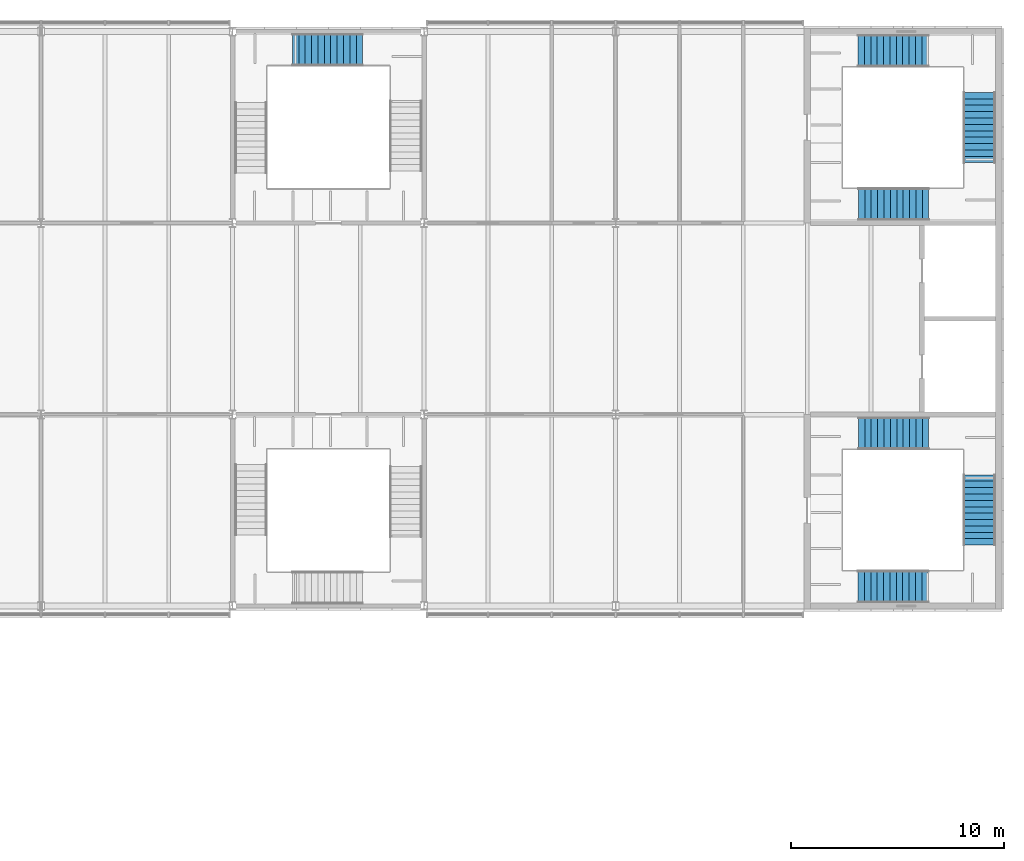
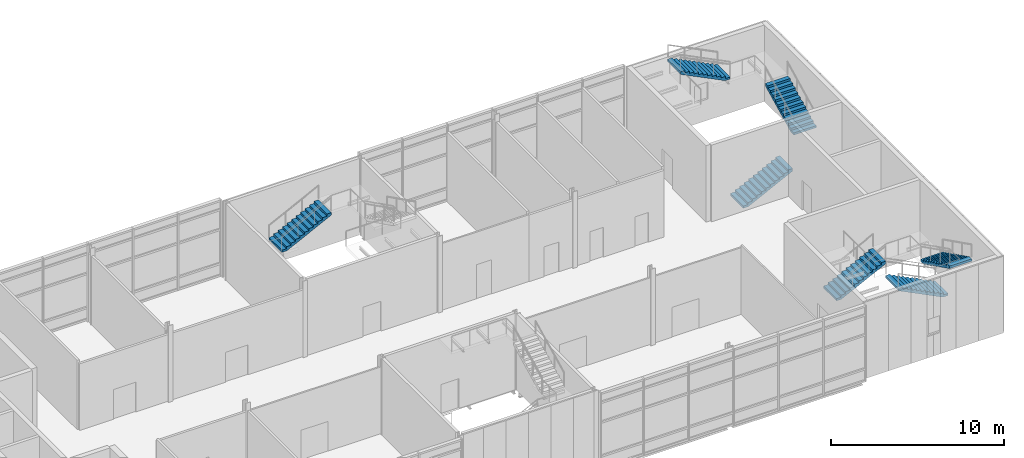
# One storey, part 46 of 56: 7 stair flights, 3 elements without a shape of their own.
"""IFC4 building model written with IfcOpenShell, lengths in metres."""

from ifc_helpers import new_model, si_unit, direction, frame, origin, place, context, subcontext, project, spatial, polyline, outline, extrude, material, type_object, element, aggregate, save


model = new_model("IFC4")

# Units and contexts
model_context = context("Model", 3, precision=1e-05, world=origin(), true_north=direction((0.0, 1.0)))
body_context = subcontext(model_context, "Body", "Model", "MODEL_VIEW")
ifc_project = project(units=[si_unit("LENGTHUNIT", "METRE"), si_unit("AREAUNIT", "SQUARE_METRE"), si_unit("VOLUMEUNIT", "CUBIC_METRE"), si_unit("PLANEANGLEUNIT", "RADIAN"), si_unit("MASSUNIT", "GRAM", prefix="KILO")], contexts=[model_context])

# Site, building, storey
site_placement = place(None, origin())
site = spatial("IfcSite", under=ifc_project, at=site_placement, CompositionType="ELEMENT")
building_placement = place(site_placement, origin())
building = spatial("IfcBuilding", under=site, at=building_placement, Name="Azimuth Sports and Learning Centre", CompositionType="ELEMENT")
storey_placement = place(building_placement, frame((0.0, 0.0, 5.39990234375)))
storey = spatial("IfcBuildingStorey", under=building, at=storey_placement, Name="L01", CompositionType="ELEMENT", Elevation=5.39990234375)

# Stair, stair flights
ifc_material_1 = material(Name="Concrete C32/40", Category="concrete")
stair_type_1 = type_object("IfcStairType", Name="Square-well stair end core 5400 storey", PredefinedType="THREE_QUARTER_TURN_STAIR", material=ifc_material_1)
stair_1_placement = place(storey_placement, origin())
stair_1 = element("IfcStair", 1, at=stair_1_placement, inside=storey, type_object=stair_type_1, Name="Stair EW1 L01-L02", PredefinedType="THREE_QUARTER_TURN_STAIR")
ifc_material_2 = material(Name="Concrete C32/40", Category="concrete")
stair_flight_type = type_object("IfcStairFlightType", Name="Stair flight 12 risers", PredefinedType="STRAIGHT", material=ifc_material_2)
stair_flight_1_placement = place(storey_placement, frame((164.409912109375, 98.114990234375, 0.0), z_axis=(0.0, 0.0, 1.0), x_axis=(1.0, 0.0, 0.0)))
stair_flight_1 = element("IfcStairFlight", 2, at=stair_flight_1_placement, type_object=stair_flight_type, Name="Stair EW1 L01 flight 1", NumberOfRisers=12, NumberOfTreads=11, PredefinedType="STRAIGHT", RiserHeight=0.15, TreadLength=0.3, context=body_context, shape_type="SweptSolid", body=[
    extrude(outline(polyline([(0.0, 0.0), (0.0, 0.14990234375), (0.300048828125, 0.14990234375), (0.300048828125, 0.300048828125), (0.60009765625, 0.300048828125), (0.60009765625, 0.449951171875), (0.89990234375, 0.449951171875), (0.89990234375, 0.60009765625), (1.199951171875, 0.60009765625), (1.199951171875, 0.75), (1.5, 0.75), (1.5, 0.89990234375), (1.800048828125, 0.89990234375), (1.800048828125, 1.050048828125), (2.10009765625, 1.050048828125), (2.10009765625, 1.199951171875), (2.39990234375, 1.199951171875), (2.39990234375, 1.35009765625), (2.699951171875, 1.35009765625), (2.699951171875, 1.5), (3.0, 1.5), (3.0, 1.64990234375), (3.300048828125, 1.64990234375), (3.300048828125, 1.800048828125), (3.300048828125, 1.482421875), (0.335205078125, 0.0), (0.0, 0.0)])), frame((0.0, 0.75, 0.0), z_axis=(0.0, -1.0, 0.0), x_axis=(1.0, 0.0, 0.0)), (0.0, 0.0, 1.0), 1.5),
])
stair_flight_2_placement = place(storey_placement, frame((170.090087890625, 96.1650390625, 1.800048828125), z_axis=(0.0, 0.0, 1.0), x_axis=(0.0, -1.0, 0.0)))
stair_flight_2 = element("IfcStairFlight", 3, at=stair_flight_2_placement, type_object=stair_flight_type, Name="Stair EW1 L01 flight 2", NumberOfRisers=12, NumberOfTreads=11, PredefinedType="STRAIGHT", RiserHeight=0.15, TreadLength=0.3, context=body_context, shape_type="SweptSolid", body=[
    extrude(outline(polyline([(0.0, 0.0), (0.0, 0.14990234375), (0.300048828125, 0.14990234375), (0.300048828125, 0.300048828125), (0.60009765625, 0.300048828125), (0.60009765625, 0.449951171875), (0.89990234375, 0.449951171875), (0.89990234375, 0.60009765625), (1.199951171875, 0.60009765625), (1.199951171875, 0.75), (1.5, 0.75), (1.5, 0.89990234375), (1.800048828125, 0.89990234375), (1.800048828125, 1.050048828125), (2.10009765625, 1.050048828125), (2.10009765625, 1.199951171875), (2.39990234375, 1.199951171875), (2.39990234375, 1.35009765625), (2.699951171875, 1.35009765625), (2.699951171875, 1.5), (3.0, 1.5), (3.0, 1.64990234375), (3.300048828125, 1.64990234375), (3.300048828125, 1.800048828125), (3.300048828125, 1.482421875), (0.335205078125, 0.0), (0.0, 0.0)])), frame((0.0, 0.75, 0.0), z_axis=(0.0, -1.0, 0.0), x_axis=(1.0, 0.0, 0.0)), (0.0, 0.0, 1.0), 1.5),
])
stair_flight_3_placement = place(storey_placement, frame((167.68994140625, 90.909912109375, 3.60009765625), z_axis=(0.0, 0.0, 1.0), x_axis=(-1.0, 0.0, 0.0)))
stair_flight_3 = element("IfcStairFlight", 4, at=stair_flight_3_placement, type_object=stair_flight_type, Name="Stair EW1 L01 flight 3", NumberOfRisers=12, NumberOfTreads=11, PredefinedType="STRAIGHT", RiserHeight=0.15, TreadLength=0.3, context=body_context, shape_type="SweptSolid", body=[
    extrude(outline(polyline([(0.0, 0.0), (0.0, 0.14990234375), (0.300048828125, 0.14990234375), (0.300048828125, 0.300048828125), (0.60009765625, 0.300048828125), (0.60009765625, 0.449951171875), (0.89990234375, 0.449951171875), (0.89990234375, 0.60009765625), (1.199951171875, 0.60009765625), (1.199951171875, 0.75), (1.5, 0.75), (1.5, 0.89990234375), (1.800048828125, 0.89990234375), (1.800048828125, 1.050048828125), (2.10009765625, 1.050048828125), (2.10009765625, 1.199951171875), (2.39990234375, 1.199951171875), (2.39990234375, 1.35009765625), (2.699951171875, 1.35009765625), (2.699951171875, 1.5), (3.0, 1.5), (3.0, 1.64990234375), (3.300048828125, 1.64990234375), (3.300048828125, 1.800048828125), (3.300048828125, 1.482421875), (0.335205078125, 0.0), (0.0, 0.0)])), frame((0.0, 0.75, 0.0), z_axis=(0.0, -1.0, 0.0), x_axis=(1.0, 0.0, 0.0)), (0.0, 0.0, 1.0), 1.5),
])
aggregate(stair_1, [stair_flight_1, stair_flight_2, stair_flight_3])

stair_2_placement = place(storey_placement, origin())
stair_2 = element("IfcStair", 5, at=stair_2_placement, inside=storey, type_object=stair_type_1, Name="Stair EW2 L01-L02", PredefinedType="THREE_QUARTER_TURN_STAIR")
stair_flight_4_placement = place(storey_placement, frame((164.409912109375, 108.885009765625, 0.0), z_axis=(0.0, 0.0, 1.0), x_axis=(1.0, 0.0, 0.0)))
stair_flight_4 = element("IfcStairFlight", 6, at=stair_flight_4_placement, type_object=stair_flight_type, Name="Stair EW2 L01 flight 1", NumberOfRisers=12, NumberOfTreads=11, PredefinedType="STRAIGHT", RiserHeight=0.15, TreadLength=0.3, context=body_context, shape_type="SweptSolid", body=[
    extrude(outline(polyline([(0.0, 0.0), (0.0, 0.14990234375), (0.300048828125, 0.14990234375), (0.300048828125, 0.300048828125), (0.60009765625, 0.300048828125), (0.60009765625, 0.449951171875), (0.89990234375, 0.449951171875), (0.89990234375, 0.60009765625), (1.199951171875, 0.60009765625), (1.199951171875, 0.75), (1.5, 0.75), (1.5, 0.89990234375), (1.800048828125, 0.89990234375), (1.800048828125, 1.050048828125), (2.10009765625, 1.050048828125), (2.10009765625, 1.199951171875), (2.39990234375, 1.199951171875), (2.39990234375, 1.35009765625), (2.699951171875, 1.35009765625), (2.699951171875, 1.5), (3.0, 1.5), (3.0, 1.64990234375), (3.300048828125, 1.64990234375), (3.300048828125, 1.800048828125), (3.300048828125, 1.482421875), (0.335205078125, 0.0), (0.0, 0.0)])), frame((0.0, 0.75, 0.0), z_axis=(0.0, -1.0, 0.0), x_axis=(1.0, 0.0, 0.0)), (0.0, 0.0, 1.0), 1.5),
])
stair_flight_5_placement = place(storey_placement, frame((170.090087890625, 110.8349609375, 1.800048828125), z_axis=(0.0, 0.0, 1.0), x_axis=(0.0, 1.0, 0.0)))
stair_flight_5 = element("IfcStairFlight", 7, at=stair_flight_5_placement, type_object=stair_flight_type, Name="Stair EW2 L01 flight 2", NumberOfRisers=12, NumberOfTreads=11, PredefinedType="STRAIGHT", RiserHeight=0.15, TreadLength=0.3, context=body_context, shape_type="SweptSolid", body=[
    extrude(outline(polyline([(0.0, 0.0), (0.0, 0.14990234375), (0.300048828125, 0.14990234375), (0.300048828125, 0.300048828125), (0.60009765625, 0.300048828125), (0.60009765625, 0.449951171875), (0.89990234375, 0.449951171875), (0.89990234375, 0.60009765625), (1.199951171875, 0.60009765625), (1.199951171875, 0.75), (1.5, 0.75), (1.5, 0.89990234375), (1.800048828125, 0.89990234375), (1.800048828125, 1.050048828125), (2.10009765625, 1.050048828125), (2.10009765625, 1.199951171875), (2.39990234375, 1.199951171875), (2.39990234375, 1.35009765625), (2.699951171875, 1.35009765625), (2.699951171875, 1.5), (3.0, 1.5), (3.0, 1.64990234375), (3.300048828125, 1.64990234375), (3.300048828125, 1.800048828125), (3.300048828125, 1.482421875), (0.335205078125, 0.0), (0.0, 0.0)])), frame((0.0, 0.75, 0.0), z_axis=(0.0, -1.0, 0.0), x_axis=(1.0, 0.0, 0.0)), (0.0, 0.0, 1.0), 1.5),
])
stair_flight_6_placement = place(storey_placement, frame((167.68994140625, 116.090087890625, 3.60009765625), z_axis=(0.0, 0.0, 1.0), x_axis=(-1.0, 0.0, 0.0)))
stair_flight_6 = element("IfcStairFlight", 8, at=stair_flight_6_placement, type_object=stair_flight_type, Name="Stair EW2 L01 flight 3", NumberOfRisers=12, NumberOfTreads=11, PredefinedType="STRAIGHT", RiserHeight=0.15, TreadLength=0.3, context=body_context, shape_type="SweptSolid", body=[
    extrude(outline(polyline([(0.0, 0.0), (0.0, 0.14990234375), (0.300048828125, 0.14990234375), (0.300048828125, 0.300048828125), (0.60009765625, 0.300048828125), (0.60009765625, 0.449951171875), (0.89990234375, 0.449951171875), (0.89990234375, 0.60009765625), (1.199951171875, 0.60009765625), (1.199951171875, 0.75), (1.5, 0.75), (1.5, 0.89990234375), (1.800048828125, 0.89990234375), (1.800048828125, 1.050048828125), (2.10009765625, 1.050048828125), (2.10009765625, 1.199951171875), (2.39990234375, 1.199951171875), (2.39990234375, 1.35009765625), (2.699951171875, 1.35009765625), (2.699951171875, 1.5), (3.0, 1.5), (3.0, 1.64990234375), (3.300048828125, 1.64990234375), (3.300048828125, 1.800048828125), (3.300048828125, 1.482421875), (0.335205078125, 0.0), (0.0, 0.0)])), frame((0.0, 0.75, 0.0), z_axis=(0.0, -1.0, 0.0), x_axis=(1.0, 0.0, 0.0)), (0.0, 0.0, 1.0), 1.5),
])
aggregate(stair_2, [stair_flight_4, stair_flight_5, stair_flight_6])

# Stair, stair flight
ifc_material_3 = material(Name="Concrete C32/40", Category="concrete")
stair_type_2 = type_object("IfcStairType", Name="Square-well stair mid-wing cell 5400 storey", PredefinedType="THREE_QUARTER_TURN_STAIR", material=ifc_material_3)
stair_3_placement = place(storey_placement, origin())
stair_3 = element("IfcStair", 9, at=stair_3_placement, inside=storey, type_object=stair_type_2, Name="Stair EM2 L01-L02", PredefinedType="THREE_QUARTER_TURN_STAIR")
stair_flight_7_placement = place(storey_placement, frame((137.81005859375, 116.139892578125, 1.800048828125), z_axis=(0.0, 0.0, 1.0), x_axis=(1.0, 0.0, 0.0)))
stair_flight_7 = element("IfcStairFlight", 10, at=stair_flight_7_placement, type_object=stair_flight_type, Name="Stair EM2 L01 flight 2", NumberOfRisers=12, NumberOfTreads=11, PredefinedType="STRAIGHT", RiserHeight=0.15, TreadLength=0.3, context=body_context, shape_type="SweptSolid", body=[
    extrude(outline(polyline([(0.0, 0.0), (0.0, 0.14990234375), (0.300048828125, 0.14990234375), (0.300048828125, 0.300048828125), (0.60009765625, 0.300048828125), (0.60009765625, 0.449951171875), (0.89990234375, 0.449951171875), (0.89990234375, 0.60009765625), (1.199951171875, 0.60009765625), (1.199951171875, 0.75), (1.5, 0.75), (1.5, 0.89990234375), (1.800048828125, 0.89990234375), (1.800048828125, 1.050048828125), (2.10009765625, 1.050048828125), (2.10009765625, 1.199951171875), (2.39990234375, 1.199951171875), (2.39990234375, 1.35009765625), (2.699951171875, 1.35009765625), (2.699951171875, 1.5), (3.0, 1.5), (3.0, 1.64990234375), (3.300048828125, 1.64990234375), (3.300048828125, 1.800048828125), (3.300048828125, 1.482421875), (0.335205078125, 0.0), (0.0, 0.0)])), frame((0.0, 0.75, 0.0), z_axis=(0.0, -1.0, 0.0), x_axis=(1.0, 0.0, 0.0)), (0.0, 0.0, 1.0), 1.5),
])
aggregate(stair_3, [stair_flight_7])

save(model, "model.ifc")
